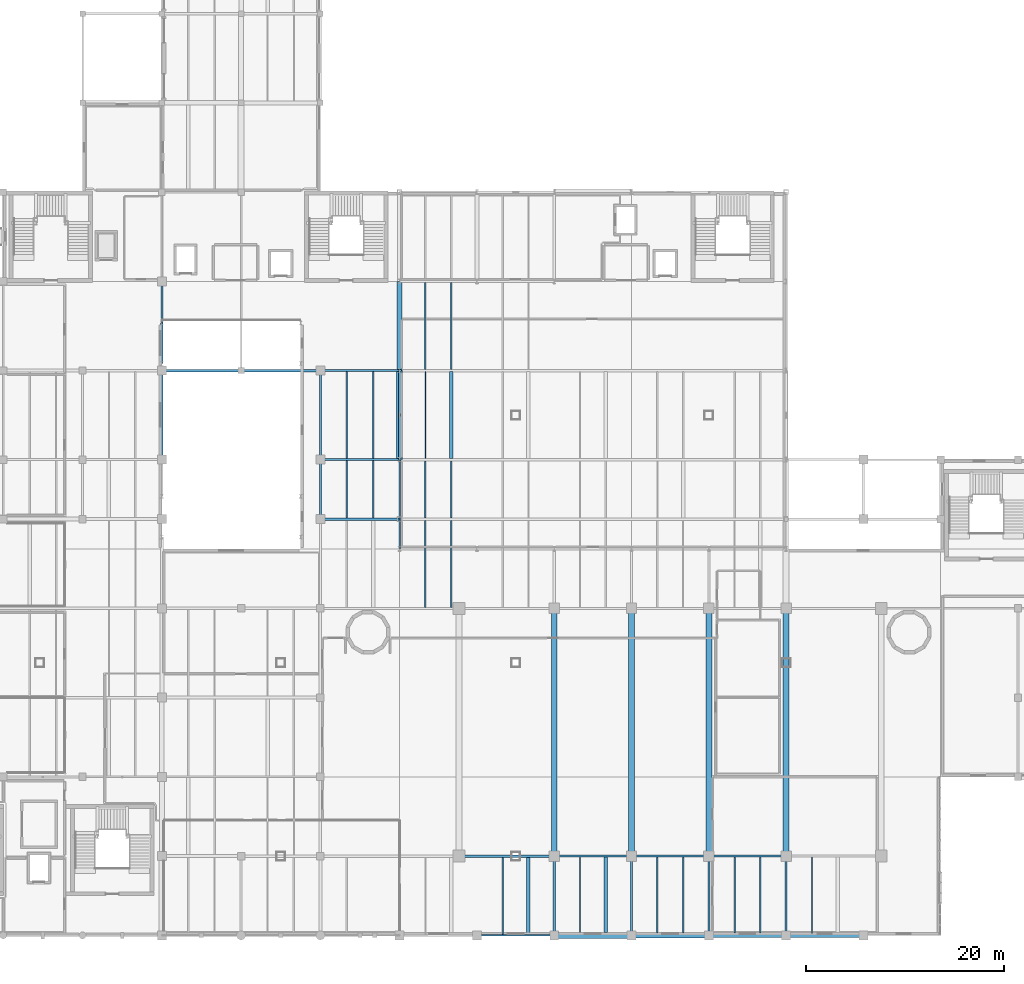
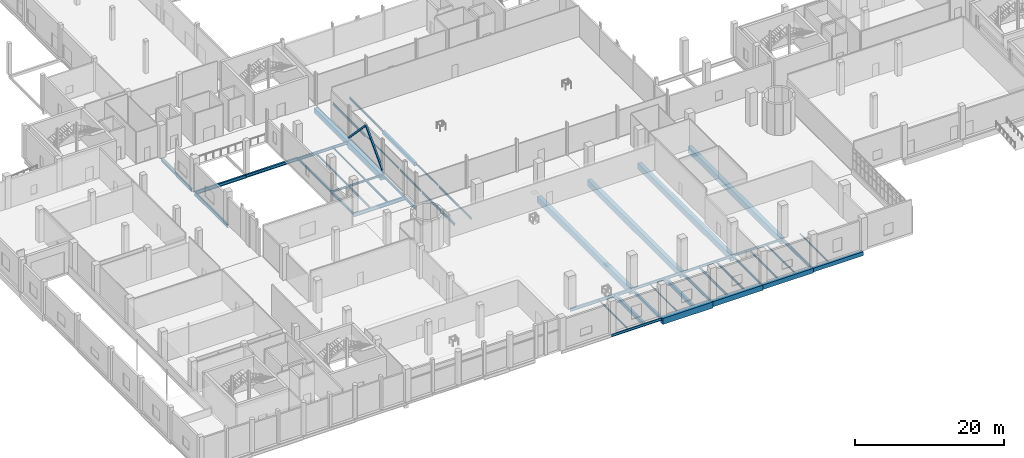
# One storey, part 22 of 57: 52 beams, 2 members.
"""IFC4 building model written with IfcOpenShell, lengths in metres."""

from ifc_helpers import new_model, si_unit, derived_unit, direction, frame, origin, origin_2d, place, context, subcontext, project, spatial, rectangle, hollow_rectangle, i_section, extrude, material, material_profile, profile_set, type_object, element, save


model = new_model("IFC4")

# Units and contexts
model_context = context("Model", 3, precision=1e-05, world=origin(), true_north=direction((0.0, 1.0)))
body_context = subcontext(model_context, "Body", "Model", "MODEL_VIEW")
ifc_project = project(units=[si_unit("LENGTHUNIT", "METRE"), si_unit("AREAUNIT", "SQUARE_METRE"), si_unit("VOLUMEUNIT", "CUBIC_METRE"), si_unit("PLANEANGLEUNIT", "RADIAN"), si_unit("MASSUNIT", "GRAM", prefix="KILO"), derived_unit("THERMALTRANSMITTANCEUNIT", [(si_unit("POWERUNIT", "WATT"), 1), (si_unit("LENGTHUNIT", "METRE"), -2), (si_unit("THERMODYNAMICTEMPERATUREUNIT", "KELVIN"), -1)])], contexts=[model_context])

# Site, building, storey
site_placement = place(None, origin())
site = spatial("IfcSite", under=ifc_project, at=site_placement, CompositionType="ELEMENT")
building_placement = place(site_placement, origin())
building = spatial("IfcBuilding", under=site, at=building_placement, Name="Nallur Shell Playhouse", CompositionType="ELEMENT")
storey_placement = place(building_placement, origin())
storey = spatial("IfcBuildingStorey", under=building, at=storey_placement, Name="L01", CompositionType="ELEMENT", Elevation=0.0)

# Beams
ifc_material_1 = material(Name="Steel E250", Category="steel")
ifc_material_profile_1 = material_profile(ifc_material_1, i_section(OverallWidth=0.110107421875, OverallDepth=0.22509765625, WebThickness=0.006591796875, FlangeThickness=0.01171875, FilletRadius=0.011962890625, at=origin_2d()), Name="ISMB 225")
ifc_profile_set_1 = profile_set([ifc_material_profile_1], Name="Steel E250")
beam_type_1 = type_object("IfcBeamType", Name="BM-JST-ISMB225", PredefinedType="JOIST", material=ifc_profile_set_1)
beam_1_placement = place(storey_placement, frame((66.60009765625, 56.123046875, -0.512451171875), z_axis=(0.0, 1.0, 0.0), x_axis=(-1.0, 0.0, 0.0)))
element("IfcBeam", 1, at=beam_1_placement, inside=storey, type_object=beam_type_1, Name="L01 secondary joist 8-G-263", PredefinedType="JOIST", context=body_context, shape_type="SweptSolid", body=[
    extrude(i_section(OverallWidth=0.110107421875, OverallDepth=0.22509765625, WebThickness=0.006591796875, FlangeThickness=0.01171875, FilletRadius=0.011962890625, at=origin_2d()), origin(), (0.0, 0.0, 1.0), 8.75390625),
])
beam_2_placement = place(storey_placement, frame((74.39990234375, 8.072998046875, -0.4326171875), z_axis=(0.0, 1.0, 0.0), x_axis=(-1.0, 0.0, 0.0)))
element("IfcBeam", 2, at=beam_2_placement, inside=storey, type_object=beam_type_1, Name="L01 secondary joist 9-A-269", PredefinedType="JOIST", context=body_context, shape_type="SweptSolid", body=[
    extrude(i_section(OverallWidth=0.110107421875, OverallDepth=0.22509765625, WebThickness=0.006591796875, FlangeThickness=0.01171875, FilletRadius=0.011962890625, at=origin_2d()), origin(), (0.0, 0.0, 1.0), 7.803955078125),
])
beam_3_placement = place(storey_placement, frame((82.199951171875, 8.298095703125, -0.4326171875), z_axis=(0.0, 1.0, 0.0), x_axis=(-1.0, 0.0, 0.0)))
element("IfcBeam", 3, at=beam_3_placement, inside=storey, type_object=beam_type_1, Name="L01 secondary joist 10-A-281", PredefinedType="JOIST", context=body_context, shape_type="SweptSolid", body=[
    extrude(i_section(OverallWidth=0.110107421875, OverallDepth=0.22509765625, WebThickness=0.006591796875, FlangeThickness=0.01171875, FilletRadius=0.011962890625, at=origin_2d()), origin(), (0.0, 0.0, 1.0), 7.60400390625),
])
beam_4_placement = place(storey_placement, frame((105.60009765625, 8.197998046875, -0.4326171875), z_axis=(0.0, 1.0, 0.0), x_axis=(-1.0, 0.0, 0.0)))
element("IfcBeam", 4, at=beam_4_placement, inside=storey, type_object=beam_type_1, Name="L01 secondary joist 13-A-305", PredefinedType="JOIST", context=body_context, shape_type="SweptSolid", body=[
    extrude(i_section(OverallWidth=0.110107421875, OverallDepth=0.22509765625, WebThickness=0.006591796875, FlangeThickness=0.01171875, FilletRadius=0.011962890625, at=origin_2d()), origin(), (0.0, 0.0, 1.0), 7.7041015625),
])
ifc_material_profile_2 = material_profile(ifc_material_1, i_section(OverallWidth=0.125, OverallDepth=0.25, WebThickness=0.0068359375, FlangeThickness=0.012451171875, FilletRadius=0.012939453125, at=origin_2d()), Name="ISMB 250")
ifc_profile_set_2 = profile_set([ifc_material_profile_2], Name="Steel E250")
beam_type_2 = type_object("IfcBeamType", Name="BM-JST-ISMB250", PredefinedType="JOIST", material=ifc_profile_set_2)
beam_5_placement = place(storey_placement, frame((61.333251953125, 56.097900390625, -0.445068359375), z_axis=(0.0, 1.0, 0.0), x_axis=(-1.0, 0.0, 0.0)))
element("IfcBeam", 5, at=beam_5_placement, inside=storey, type_object=beam_type_2, Name="L01 secondary joist 7-G-256", PredefinedType="JOIST", context=body_context, shape_type="SweptSolid", body=[
    extrude(i_section(OverallWidth=0.125, OverallDepth=0.25, WebThickness=0.0068359375, FlangeThickness=0.012451171875, FilletRadius=0.012939453125, at=origin_2d()), origin(), (0.0, 0.0, 1.0), 8.80419921875),
])
beam_6_placement = place(storey_placement, frame((69.199951171875, 50.123046875, -0.52490234375), z_axis=(0.0, 1.0, 0.0), x_axis=(-1.0, 0.0, 0.0)))
element("IfcBeam", 6, at=beam_6_placement, inside=storey, type_object=beam_type_2, Name="L01 secondary joist 8-F-262", PredefinedType="JOIST", context=body_context, shape_type="SweptSolid", body=[
    extrude(i_section(OverallWidth=0.125, OverallDepth=0.25, WebThickness=0.0068359375, FlangeThickness=0.012451171875, FilletRadius=0.012939453125, at=origin_2d()), origin(), (0.0, 0.0, 1.0), 5.75390625),
])
beam_7_placement = place(storey_placement, frame((100.39990234375, 8.222900390625, -0.445068359375), z_axis=(0.0, 1.0, 0.0), x_axis=(-1.0, 0.0, 0.0)))
element("IfcBeam", 7, at=beam_7_placement, inside=storey, type_object=beam_type_2, Name="L01 secondary joist 12-A-298", PredefinedType="JOIST", context=body_context, shape_type="SweptSolid", body=[
    extrude(i_section(OverallWidth=0.125, OverallDepth=0.25, WebThickness=0.0068359375, FlangeThickness=0.012451171875, FilletRadius=0.012939453125, at=origin_2d()), origin(), (0.0, 0.0, 1.0), 7.67919921875),
])
ifc_material_profile_3 = material_profile(ifc_material_1, i_section(OverallWidth=0.139892578125, OverallDepth=0.300048828125, WebThickness=0.0078125, FlangeThickness=0.01318359375, FilletRadius=0.013916015625, at=origin_2d()), Name="ISMB 300")
ifc_profile_set_3 = profile_set([ifc_material_profile_3], Name="Steel E250")
beam_type_3 = type_object("IfcBeamType", Name="BM-JST-ISMB300", PredefinedType="JOIST", material=ifc_profile_set_3)
beam_8_placement = place(storey_placement, frame((58.666748046875, 56.097900390625, -0.469970703125), z_axis=(0.0, 1.0, 0.0), x_axis=(-1.0, 0.0, 0.0)))
element("IfcBeam", 8, at=beam_8_placement, inside=storey, type_object=beam_type_3, Name="L01 secondary joist 7-G-255", PredefinedType="JOIST", context=body_context, shape_type="SweptSolid", body=[
    extrude(i_section(OverallWidth=0.139892578125, OverallDepth=0.300048828125, WebThickness=0.0078125, FlangeThickness=0.01318359375, FilletRadius=0.013916015625, at=origin_2d()), origin(), (0.0, 0.0, 1.0), 8.80419921875),
])
beam_9_placement = place(storey_placement, frame((66.60009765625, 50.123046875, -0.550048828125), z_axis=(0.0, 1.0, 0.0), x_axis=(-1.0, 0.0, 0.0)))
element("IfcBeam", 9, at=beam_9_placement, inside=storey, type_object=beam_type_3, Name="L01 secondary joist 8-F-261", PredefinedType="JOIST", context=body_context, shape_type="SweptSolid", body=[
    extrude(i_section(OverallWidth=0.139892578125, OverallDepth=0.300048828125, WebThickness=0.0078125, FlangeThickness=0.01318359375, FilletRadius=0.013916015625, at=origin_2d()), origin(), (0.0, 0.0, 1.0), 5.75390625),
])
beam_10_placement = place(storey_placement, frame((97.800048828125, 8.222900390625, -0.469970703125), z_axis=(0.0, 1.0, 0.0), x_axis=(-1.0, 0.0, 0.0)))
element("IfcBeam", 10, at=beam_10_placement, inside=storey, type_object=beam_type_3, Name="L01 secondary joist 12-A-297", PredefinedType="JOIST", context=body_context, shape_type="SweptSolid", body=[
    extrude(i_section(OverallWidth=0.139892578125, OverallDepth=0.300048828125, WebThickness=0.0078125, FlangeThickness=0.01318359375, FilletRadius=0.013916015625, at=origin_2d()), origin(), (0.0, 0.0, 1.0), 7.67919921875),
])
ifc_material_profile_4 = material_profile(ifc_material_1, i_section(OverallWidth=0.139892578125, OverallDepth=0.35009765625, WebThickness=0.008056640625, FlangeThickness=0.01416015625, FilletRadius=0.013916015625, at=origin_2d()), Name="ISMB 350")
ifc_profile_set_4 = profile_set([ifc_material_profile_4], Name="Steel E250")
beam_type_4 = type_object("IfcBeamType", Name="BM-JST-ISMB350", PredefinedType="JOIST", material=ifc_profile_set_4)
beam_11_placement = place(storey_placement, frame((61.333251953125, 50.123046875, -0.4951171875), z_axis=(0.0, 1.0, 0.0), x_axis=(-1.0, 0.0, 0.0)))
element("IfcBeam", 11, at=beam_11_placement, inside=storey, type_object=beam_type_4, Name="L01 secondary joist 7-F-254", PredefinedType="JOIST", context=body_context, shape_type="SweptSolid", body=[
    extrude(i_section(OverallWidth=0.139892578125, OverallDepth=0.35009765625, WebThickness=0.008056640625, FlangeThickness=0.01416015625, FilletRadius=0.013916015625, at=origin_2d()), origin(), (0.0, 0.0, 1.0), 5.779052734375),
])
for number, where, z_axis, x_axis, name in (
    (12, (69.199951171875, 41.097900390625, -0.574951171875), (0.0, 1.0, 0.0), (-1.0, 0.0, 0.0), "L01 secondary joist 8-E-260"),
    (13, (69.199951171875, 65.123046875, -0.574951171875), (0.0, 1.0, 0.0), (-1.0, 0.0, 0.0), "L01 secondary joist 8-H-266"),
):
    element("IfcBeam", number, at=place(storey_placement, frame(where, z_axis=z_axis, x_axis=x_axis)), inside=storey, type_object=beam_type_4, Name=name, PredefinedType="JOIST", context=body_context, shape_type="SweptSolid", body=[
        extrude(i_section(OverallWidth=0.139892578125, OverallDepth=0.35009765625, WebThickness=0.008056640625, FlangeThickness=0.01416015625, FilletRadius=0.013916015625, at=origin_2d()), origin(), (0.0, 0.0, 1.0), 8.779052734375),
    ])
beam_12_placement = place(storey_placement, frame((92.60009765625, 8.248046875, -0.4951171875), z_axis=(0.0, 1.0, 0.0), x_axis=(-1.0, 0.0, 0.0)))
element("IfcBeam", 14, at=beam_12_placement, inside=storey, type_object=beam_type_4, Name="L01 secondary joist 11-A-290", PredefinedType="JOIST", context=body_context, shape_type="SweptSolid", body=[
    extrude(i_section(OverallWidth=0.139892578125, OverallDepth=0.35009765625, WebThickness=0.008056640625, FlangeThickness=0.01416015625, FilletRadius=0.013916015625, at=origin_2d()), origin(), (0.0, 0.0, 1.0), 7.654052734375),
])
ifc_material_profile_5 = material_profile(ifc_material_1, i_section(OverallWidth=0.139892578125, OverallDepth=0.39990234375, WebThickness=0.0087890625, FlangeThickness=0.01611328125, FilletRadius=0.013916015625, at=origin_2d()), Name="ISMB 400")
ifc_profile_set_5 = profile_set([ifc_material_profile_5], Name="Steel E250")
beam_type_5 = type_object("IfcBeamType", Name="BM-JST-ISMB400", PredefinedType="JOIST", material=ifc_profile_set_5)
beam_13_placement = place(storey_placement, frame((58.666748046875, 50.123046875, -0.52001953125), z_axis=(0.0, 1.0, 0.0), x_axis=(-1.0, 0.0, 0.0)))
element("IfcBeam", 15, at=beam_13_placement, inside=storey, type_object=beam_type_5, Name="L01 secondary joist 7-F-253", PredefinedType="JOIST", context=body_context, shape_type="SweptSolid", body=[
    extrude(i_section(OverallWidth=0.139892578125, OverallDepth=0.39990234375, WebThickness=0.0087890625, FlangeThickness=0.01611328125, FilletRadius=0.013916015625, at=origin_2d()), origin(), (0.0, 0.0, 1.0), 5.779052734375),
])
for number, where, z_axis, x_axis, name in (
    (16, (66.60009765625, 41.097900390625, -0.60009765625), (0.0, 1.0, 0.0), (-1.0, 0.0, 0.0), "L01 secondary joist 8-E-259"),
    (17, (66.60009765625, 65.123046875, -0.60009765625), (0.0, 1.0, 0.0), (-1.0, 0.0, 0.0), "L01 secondary joist 8-H-265"),
):
    element("IfcBeam", number, at=place(storey_placement, frame(where, z_axis=z_axis, x_axis=x_axis)), inside=storey, type_object=beam_type_5, Name=name, PredefinedType="JOIST", context=body_context, shape_type="SweptSolid", body=[
        extrude(i_section(OverallWidth=0.139892578125, OverallDepth=0.39990234375, WebThickness=0.0087890625, FlangeThickness=0.01611328125, FilletRadius=0.013916015625, at=origin_2d()), origin(), (0.0, 0.0, 1.0), 8.779052734375),
    ])
beam_14_placement = place(storey_placement, frame((90.0, 8.248046875, -0.52001953125), z_axis=(0.0, 1.0, 0.0), x_axis=(-1.0, 0.0, 0.0)))
element("IfcBeam", 18, at=beam_14_placement, inside=storey, type_object=beam_type_5, Name="L01 secondary joist 11-A-289", PredefinedType="JOIST", context=body_context, shape_type="SweptSolid", body=[
    extrude(i_section(OverallWidth=0.139892578125, OverallDepth=0.39990234375, WebThickness=0.0087890625, FlangeThickness=0.01611328125, FilletRadius=0.013916015625, at=origin_2d()), origin(), (0.0, 0.0, 1.0), 7.654052734375),
])
ifc_material_2 = material(Name="Concrete M30", Category="concrete")
ifc_material_profile_6 = material_profile(ifc_material_2, rectangle(XDim=0.35009765625, YDim=0.60009765625, at=origin_2d()), Name="RC 350x600")
ifc_profile_set_6 = profile_set([ifc_material_profile_6], Name="Concrete M30")
beam_type_6 = type_object("IfcBeamType", Name="BM-RC-350x600", PredefinedType="JOIST", material=ifc_profile_set_6)
beam_15_placement = place(storey_placement, frame((69.199951171875, 56.123046875, -0.699951171875), z_axis=(0.0, 1.0, 0.0), x_axis=(-1.0, 0.0, 0.0)))
element("IfcBeam", 19, at=beam_15_placement, inside=storey, type_object=beam_type_6, Name="L01 secondary joist 8-G-264", PredefinedType="JOIST", context=body_context, shape_type="SweptSolid", body=[
    extrude(rectangle(XDim=0.35009765625, YDim=0.60009765625, at=origin_2d()), origin(), (0.0, 0.0, 1.0), 8.75390625),
])
beam_16_placement = place(storey_placement, frame((77.0, 8.072998046875, -0.6201171875), z_axis=(0.0, 1.0, 0.0), x_axis=(-1.0, 0.0, 0.0)))
element("IfcBeam", 20, at=beam_16_placement, inside=storey, type_object=beam_type_6, Name="L01 secondary joist 9-A-270", PredefinedType="JOIST", context=body_context, shape_type="SweptSolid", body=[
    extrude(rectangle(XDim=0.35009765625, YDim=0.60009765625, at=origin_2d()), origin(), (0.0, 0.0, 1.0), 7.803955078125),
])
beam_17_placement = place(storey_placement, frame((84.800048828125, 8.298095703125, -0.6201171875), z_axis=(0.0, 1.0, 0.0), x_axis=(-1.0, 0.0, 0.0)))
element("IfcBeam", 21, at=beam_17_placement, inside=storey, type_object=beam_type_6, Name="L01 secondary joist 10-A-282", PredefinedType="JOIST", context=body_context, shape_type="SweptSolid", body=[
    extrude(rectangle(XDim=0.35009765625, YDim=0.60009765625, at=origin_2d()), origin(), (0.0, 0.0, 1.0), 7.60400390625),
])
ifc_material_3 = material(Name="Concrete M35", Category="concrete")
ifc_material_profile_7 = material_profile(ifc_material_3, rectangle(XDim=0.39990234375, YDim=0.64990234375, at=origin_2d()), Name="RC 400x650")
ifc_profile_set_7 = profile_set([ifc_material_profile_7], Name="Concrete M35")
beam_type_7 = type_object("IfcBeamType", Name="BM-RC-400x650", PredefinedType="BEAM", material=ifc_profile_set_7)
beam_18_placement = place(storey_placement, frame((103.0, 8.0, -0.64501953125), z_axis=(1.0, 0.0, 0.0), x_axis=(0.0, 1.0, 0.0)))
element("IfcBeam", 22, at=beam_18_placement, inside=storey, type_object=beam_type_7, Name="L01 girder X-A-15", PredefinedType="BEAM", context=body_context, shape_type="SweptSolid", body=[
    extrude(rectangle(XDim=0.39990234375, YDim=0.64990234375, at=origin_2d()), origin(), (0.0, 0.0, 1.0), 7.800048828125),
])
ifc_material_profile_8 = material_profile(ifc_material_3, rectangle(XDim=0.449951171875, YDim=0.75, at=origin_2d()), Name="RC 450x750")
ifc_profile_set_8 = profile_set([ifc_material_profile_8], Name="Concrete M35")
beam_type_8 = type_object("IfcBeamType", Name="BM-RC-450x750", PredefinedType="BEAM", material=ifc_profile_set_8)
beam_19_placement = place(storey_placement, frame((95.199951171875, 8.0, -0.695068359375), z_axis=(1.0, 0.0, 0.0), x_axis=(0.0, 1.0, 0.0)))
element("IfcBeam", 23, at=beam_19_placement, inside=storey, type_object=beam_type_8, Name="L01 girder X-A-14", PredefinedType="BEAM", context=body_context, shape_type="SweptSolid", body=[
    extrude(rectangle(XDim=0.449951171875, YDim=0.75, at=origin_2d()), origin(), (0.0, 0.0, 1.0), 7.800048828125),
])
ifc_material_4 = material(Name="Concrete M40", Category="concrete")
ifc_material_profile_9 = material_profile(ifc_material_4, rectangle(XDim=0.5, YDim=0.85009765625, at=origin_2d()), Name="RC 500x850")
ifc_profile_set_9 = profile_set([ifc_material_profile_9], Name="Concrete M40")
beam_type_9 = type_object("IfcBeamType", Name="BM-RC-500x850", PredefinedType="BEAM", material=ifc_profile_set_9)
beam_20_placement = place(storey_placement, frame((87.39990234375, 8.0, -0.7451171875), z_axis=(1.0, 0.0, 0.0), x_axis=(0.0, 1.0, 0.0)))
element("IfcBeam", 24, at=beam_20_placement, inside=storey, type_object=beam_type_9, Name="L01 girder X-A-13", PredefinedType="BEAM", context=body_context, shape_type="SweptSolid", body=[
    extrude(rectangle(XDim=0.5, YDim=0.85009765625, at=origin_2d()), origin(), (0.0, 0.0, 1.0), 7.800048828125),
])
beam_21_placement = place(storey_placement, frame((64.0, 65.0, -0.824951171875), z_axis=(0.0, 1.0, 0.0), x_axis=(-1.0, 0.0, 0.0)))
element("IfcBeam", 25, at=beam_21_placement, inside=storey, type_object=beam_type_9, Name="L01 girder Y-8-141", PredefinedType="BEAM", context=body_context, shape_type="SweptSolid", body=[
    extrude(rectangle(XDim=0.5, YDim=0.85009765625, at=origin_2d()), origin(), (0.0, 0.0, 1.0), 9.0),
])
ifc_material_profile_10 = material_profile(ifc_material_4, rectangle(XDim=0.60009765625, YDim=1.0, at=origin_2d()), Name="RC 600x1000")
ifc_profile_set_10 = profile_set([ifc_material_profile_10], Name="Concrete M40")
beam_type_10 = type_object("IfcBeamType", Name="BM-RC-600x1000", PredefinedType="BEAM", material=ifc_profile_set_10)
beam_22_placement = place(storey_placement, frame((79.60009765625, 8.0, -0.820068359375), z_axis=(1.0, 0.0, 0.0), x_axis=(0.0, 1.0, 0.0)))
element("IfcBeam", 26, at=beam_22_placement, inside=storey, type_object=beam_type_10, Name="L01 girder X-A-12", PredefinedType="BEAM", context=body_context, shape_type="SweptSolid", body=[
    extrude(rectangle(XDim=0.60009765625, YDim=1.0, at=origin_2d()), origin(), (0.0, 0.0, 1.0), 7.7998046875),
])
beam_23_placement = place(storey_placement, frame((64.0, 56.0, -0.89990234375), z_axis=(0.0, 1.0, 0.0), x_axis=(-1.0, 0.0, 0.0)))
element("IfcBeam", 27, at=beam_23_placement, inside=storey, type_object=beam_type_10, Name="L01 girder Y-8-140", PredefinedType="BEAM", context=body_context, shape_type="SweptSolid", body=[
    extrude(rectangle(XDim=0.60009765625, YDim=1.0, at=origin_2d()), origin(), (0.0, 0.0, 1.0), 9.0),
])
for number, where, z_axis, x_axis, name in (
    (28, (79.60009765625, 16.0, -0.820068359375), (0.0, 1.0, 0.0), (-1.0, 0.0, 0.0), "L01 girder Y-10-145"),
    (29, (87.39990234375, 16.0, -0.820068359375), (0.0, 1.0, 0.0), (-1.0, 0.0, 0.0), "L01 girder Y-11-149"),
    (30, (95.199951171875, 16.0, -0.820068359375), (0.0, 1.0, 0.0), (-1.0, 0.0, 0.0), "L01 girder Y-12-152"),
    (31, (103.0, 16.0, -0.820068359375), (0.0, 1.0, 0.0), (-1.0, 0.0, 0.0), "L01 girder Y-13-155"),
):
    element("IfcBeam", number, at=place(storey_placement, frame(where, z_axis=z_axis, x_axis=x_axis)), inside=storey, type_object=beam_type_10, Name=name, PredefinedType="BEAM", context=body_context, shape_type="SweptSolid", body=[
        extrude(rectangle(XDim=0.60009765625, YDim=1.0, at=origin_2d()), origin(), (0.0, 0.0, 1.0), 25.0),
    ])
ifc_material_profile_11 = material_profile(ifc_material_3, rectangle(XDim=0.300048828125, YDim=0.449951171875, at=origin_2d()), Name="RC 300x450")
ifc_profile_set_11 = profile_set([ifc_material_profile_11], Name="Concrete M35")
beam_type_11 = type_object("IfcBeamType", Name="BM-SPN-300x450", PredefinedType="SPANDREL", material=ifc_profile_set_11)
beam_24_placement = place(storey_placement, frame((79.60009765625, 8.0, -0.544921875), z_axis=(0.0, 1.0, 0.0), x_axis=(-1.0, 0.0, 0.0)))
element("IfcBeam", 32, at=beam_24_placement, inside=storey, type_object=beam_type_11, Name="L01 girder Y-10-144", PredefinedType="SPANDREL", context=body_context, shape_type="SweptSolid", body=[
    extrude(rectangle(XDim=0.300048828125, YDim=0.449951171875, at=origin_2d()), origin(), (0.0, 0.0, 1.0), 8.0),
])
ifc_material_5 = material(Name="Steel E350", Category="steel")
ifc_material_profile_12 = material_profile(ifc_material_5, i_section(OverallWidth=0.14990234375, OverallDepth=0.449951171875, WebThickness=0.009521484375, FlangeThickness=0.017333984375, FilletRadius=0.014892578125, at=origin_2d()), Name="ISMB 450")
ifc_profile_set_12 = profile_set([ifc_material_profile_12], Name="Steel E350")
beam_type_12 = type_object("IfcBeamType", Name="BM-ST-ISMB450", PredefinedType="BEAM", material=ifc_profile_set_12)
beam_25_placement = place(storey_placement, frame((71.800048828125, 8.0, -0.544921875), z_axis=(1.0, 0.0, 0.0), x_axis=(0.0, 1.0, 0.0)))
element("IfcBeam", 33, at=beam_25_placement, inside=storey, type_object=beam_type_12, Name="L01 girder X-A-11", PredefinedType="BEAM", context=body_context, shape_type="SweptSolid", body=[
    extrude(i_section(OverallWidth=0.14990234375, OverallDepth=0.449951171875, WebThickness=0.009521484375, FlangeThickness=0.017333984375, FilletRadius=0.014892578125, at=origin_2d()), origin(), (0.0, 0.0, 1.0), 7.800048828125),
])
beam_26_placement = place(storey_placement, frame((64.0, 50.0, -0.625), z_axis=(0.0, 1.0, 0.0), x_axis=(-1.0, 0.0, 0.0)))
element("IfcBeam", 34, at=beam_26_placement, inside=storey, type_object=beam_type_12, Name="L01 girder Y-8-139", PredefinedType="BEAM", context=body_context, shape_type="SweptSolid", body=[
    extrude(i_section(OverallWidth=0.14990234375, OverallDepth=0.449951171875, WebThickness=0.009521484375, FlangeThickness=0.017333984375, FilletRadius=0.014892578125, at=origin_2d()), origin(), (0.0, 0.0, 1.0), 6.0),
])
ifc_material_profile_13 = material_profile(ifc_material_5, i_section(OverallWidth=0.179931640625, OverallDepth=0.5, WebThickness=0.01025390625, FlangeThickness=0.01708984375, FilletRadius=0.01708984375, at=origin_2d()), Name="ISMB 500")
ifc_profile_set_13 = profile_set([ifc_material_profile_13], Name="Steel E350")
beam_type_13 = type_object("IfcBeamType", Name="BM-ST-ISMB500", PredefinedType="BEAM", material=ifc_profile_set_13)
beam_27_placement = place(storey_placement, frame((64.0, 47.0, -0.64990234375), z_axis=(0.0, 1.0, 0.0), x_axis=(-1.0, 0.0, 0.0)))
element("IfcBeam", 35, at=beam_27_placement, inside=storey, type_object=beam_type_13, Name="L01 girder Y-8-138", PredefinedType="BEAM", context=body_context, shape_type="SweptSolid", body=[
    extrude(i_section(OverallWidth=0.179931640625, OverallDepth=0.5, WebThickness=0.01025390625, FlangeThickness=0.01708984375, FilletRadius=0.01708984375, at=origin_2d()), origin(), (0.0, 0.0, 1.0), 3.0),
])
beam_28_placement = place(storey_placement, frame((103.0, 8.0, -0.570068359375), z_axis=(0.0, 1.0, 0.0), x_axis=(-1.0, 0.0, 0.0)))
element("IfcBeam", 36, at=beam_28_placement, inside=storey, type_object=beam_type_13, Name="L01 girder Y-13-154", PredefinedType="BEAM", context=body_context, shape_type="SweptSolid", body=[
    extrude(i_section(OverallWidth=0.179931640625, OverallDepth=0.5, WebThickness=0.01025390625, FlangeThickness=0.01708984375, FilletRadius=0.01708984375, at=origin_2d()), origin(), (0.0, 0.0, 1.0), 8.0),
])
ifc_material_profile_14 = material_profile(ifc_material_1, i_section(OverallWidth=0.199951171875, OverallDepth=0.300048828125, WebThickness=0.00732421875, FlangeThickness=0.010009765625, FilletRadius=0.010986328125, at=origin_2d()), Name="ISWB 300")
ifc_profile_set_14 = profile_set([ifc_material_profile_14], Name="Steel E250")
beam_type_14 = type_object("IfcBeamType", Name="BM-ST-ISWB300", PredefinedType="BEAM", material=ifc_profile_set_14)
for number, where, z_axis, x_axis, name in (
    (37, (56.0, 56.0, -0.550048828125), (1.0, 0.0, 0.0), (0.0, 1.0, 0.0), "L01 girder X-G-55"),
    (38, (95.199951171875, 8.0, -0.469970703125), (0.0, 1.0, 0.0), (-1.0, 0.0, 0.0), "L01 girder Y-12-151"),
):
    element("IfcBeam", number, at=place(storey_placement, frame(where, z_axis=z_axis, x_axis=x_axis)), inside=storey, type_object=beam_type_14, Name=name, PredefinedType="BEAM", context=body_context, shape_type="SweptSolid", body=[
        extrude(i_section(OverallWidth=0.199951171875, OverallDepth=0.300048828125, WebThickness=0.00732421875, FlangeThickness=0.010009765625, FilletRadius=0.010986328125, at=origin_2d()), origin(), (0.0, 0.0, 1.0), 8.0),
    ])
ifc_material_profile_15 = material_profile(ifc_material_5, i_section(OverallWidth=0.199951171875, OverallDepth=0.35009765625, WebThickness=0.008056640625, FlangeThickness=0.011474609375, FilletRadius=0.011962890625, at=origin_2d()), Name="ISWB 350")
ifc_profile_set_15 = profile_set([ifc_material_profile_15], Name="Steel E350")
beam_type_15 = type_object("IfcBeamType", Name="BM-ST-ISWB350", PredefinedType="BEAM", material=ifc_profile_set_15)
beam_29_placement = place(storey_placement, frame((95.199951171875, 16.0, -0.4951171875), z_axis=(1.0, 0.0, 0.0), x_axis=(0.0, 1.0, 0.0)))
element("IfcBeam", 39, at=beam_29_placement, inside=storey, type_object=beam_type_15, Name="L01 girder X-B-22", PredefinedType="BEAM", context=body_context, shape_type="SweptSolid", body=[
    extrude(i_section(OverallWidth=0.199951171875, OverallDepth=0.35009765625, WebThickness=0.008056640625, FlangeThickness=0.011474609375, FilletRadius=0.011962890625, at=origin_2d()), origin(), (0.0, 0.0, 1.0), 7.800048828125),
])
beam_30_placement = place(storey_placement, frame((56.0, 56.0, -0.4951171875), z_axis=(0.0, 1.0, 0.0), x_axis=(-1.0, 0.0, 0.0)))
element("IfcBeam", 40, at=beam_30_placement, inside=storey, type_object=beam_type_15, Name="L01 girder Y-7-134", PredefinedType="BEAM", context=body_context, shape_type="SweptSolid", body=[
    extrude(i_section(OverallWidth=0.199951171875, OverallDepth=0.35009765625, WebThickness=0.008056640625, FlangeThickness=0.011474609375, FilletRadius=0.011962890625, at=origin_2d()), origin(), (0.0, 0.0, 1.0), 9.0),
])
ifc_material_profile_16 = material_profile(ifc_material_5, i_section(OverallWidth=0.199951171875, OverallDepth=0.39990234375, WebThickness=0.008544921875, FlangeThickness=0.012939453125, FilletRadius=0.012939453125, at=origin_2d()), Name="ISWB 400")
ifc_profile_set_16 = profile_set([ifc_material_profile_16], Name="Steel E350")
beam_type_16 = type_object("IfcBeamType", Name="BM-ST-ISWB400", PredefinedType="BEAM", material=ifc_profile_set_16)
beam_31_placement = place(storey_placement, frame((87.39990234375, 16.0, -0.52001953125), z_axis=(1.0, 0.0, 0.0), x_axis=(0.0, 1.0, 0.0)))
element("IfcBeam", 41, at=beam_31_placement, inside=storey, type_object=beam_type_16, Name="L01 girder X-B-21", PredefinedType="BEAM", context=body_context, shape_type="SweptSolid", body=[
    extrude(i_section(OverallWidth=0.199951171875, OverallDepth=0.39990234375, WebThickness=0.008544921875, FlangeThickness=0.012939453125, FilletRadius=0.012939453125, at=origin_2d()), origin(), (0.0, 0.0, 1.0), 7.800048828125),
])
beam_32_placement = place(storey_placement, frame((56.0, 50.0, -0.52001953125), z_axis=(0.0, 1.0, 0.0), x_axis=(-1.0, 0.0, 0.0)))
element("IfcBeam", 42, at=beam_32_placement, inside=storey, type_object=beam_type_16, Name="L01 girder Y-7-133", PredefinedType="BEAM", context=body_context, shape_type="SweptSolid", body=[
    extrude(i_section(OverallWidth=0.199951171875, OverallDepth=0.39990234375, WebThickness=0.008544921875, FlangeThickness=0.012939453125, FilletRadius=0.012939453125, at=origin_2d()), origin(), (0.0, 0.0, 1.0), 6.0),
])
ifc_material_profile_17 = material_profile(ifc_material_5, i_section(OverallWidth=0.199951171875, OverallDepth=0.449951171875, WebThickness=0.00927734375, FlangeThickness=0.015380859375, FilletRadius=0.013916015625, at=origin_2d()), Name="ISWB 450")
ifc_profile_set_17 = profile_set([ifc_material_profile_17], Name="Steel E350")
beam_type_17 = type_object("IfcBeamType", Name="BM-ST-ISWB450", PredefinedType="BEAM", material=ifc_profile_set_17)
beam_33_placement = place(storey_placement, frame((79.60009765625, 16.0, -0.544921875), z_axis=(1.0, 0.0, 0.0), x_axis=(0.0, 1.0, 0.0)))
element("IfcBeam", 43, at=beam_33_placement, inside=storey, type_object=beam_type_17, Name="L01 girder X-B-20", PredefinedType="BEAM", context=body_context, shape_type="SweptSolid", body=[
    extrude(i_section(OverallWidth=0.199951171875, OverallDepth=0.449951171875, WebThickness=0.00927734375, FlangeThickness=0.015380859375, FilletRadius=0.013916015625, at=origin_2d()), origin(), (0.0, 0.0, 1.0), 7.7998046875),
])
beam_34_placement = place(storey_placement, frame((56.0, 65.0, -0.625), z_axis=(1.0, 0.0, 0.0), x_axis=(0.0, 1.0, 0.0)))
element("IfcBeam", 44, at=beam_34_placement, inside=storey, type_object=beam_type_17, Name="L01 girder X-H-68", PredefinedType="BEAM", context=body_context, shape_type="SweptSolid", body=[
    extrude(i_section(OverallWidth=0.199951171875, OverallDepth=0.449951171875, WebThickness=0.00927734375, FlangeThickness=0.015380859375, FilletRadius=0.013916015625, at=origin_2d()), origin(), (0.0, 0.0, 1.0), 8.0),
])
beam_35_placement = place(storey_placement, frame((40.0, 69.800048828125, -0.544921875), z_axis=(0.0, 1.0, 0.0), x_axis=(-1.0, 0.0, 0.0)))
element("IfcBeam", 45, at=beam_35_placement, inside=storey, type_object=beam_type_17, Name="L01 girder Y-5-116", PredefinedType="BEAM", context=body_context, shape_type="SweptSolid", body=[
    extrude(i_section(OverallWidth=0.199951171875, OverallDepth=0.449951171875, WebThickness=0.00927734375, FlangeThickness=0.015380859375, FilletRadius=0.013916015625, at=origin_2d()), origin(), (0.0, 0.0, 1.0), 4.199951171875),
])
beam_36_placement = place(storey_placement, frame((87.39990234375, 8.0, -0.544921875), z_axis=(0.0, 1.0, 0.0), x_axis=(-1.0, 0.0, 0.0)))
element("IfcBeam", 46, at=beam_36_placement, inside=storey, type_object=beam_type_17, Name="L01 girder Y-11-148", PredefinedType="BEAM", context=body_context, shape_type="SweptSolid", body=[
    extrude(i_section(OverallWidth=0.199951171875, OverallDepth=0.449951171875, WebThickness=0.00927734375, FlangeThickness=0.015380859375, FilletRadius=0.013916015625, at=origin_2d()), origin(), (0.0, 0.0, 1.0), 8.0),
])
ifc_material_profile_18 = material_profile(ifc_material_5, i_section(OverallWidth=0.25, OverallDepth=0.5, WebThickness=0.010009765625, FlangeThickness=0.0146484375, FilletRadius=0.014892578125, at=origin_2d()), Name="ISWB 500")
ifc_profile_set_18 = profile_set([ifc_material_profile_18], Name="Steel E350")
beam_type_18 = type_object("IfcBeamType", Name="BM-ST-ISWB500", PredefinedType="BEAM", material=ifc_profile_set_18)
beam_37_placement = place(storey_placement, frame((70.0, 16.0, -0.570068359375), z_axis=(1.0, 0.0, 0.0), x_axis=(0.0, 1.0, 0.0)))
element("IfcBeam", 47, at=beam_37_placement, inside=storey, type_object=beam_type_18, Name="L01 girder X-B-19", PredefinedType="BEAM", context=body_context, shape_type="SweptSolid", body=[
    extrude(i_section(OverallWidth=0.25, OverallDepth=0.5, WebThickness=0.010009765625, FlangeThickness=0.0146484375, FilletRadius=0.014892578125, at=origin_2d()), origin(), (0.0, 0.0, 1.0), 9.60009765625),
])
beam_38_placement = place(storey_placement, frame((48.0, 65.0, -0.570068359375), z_axis=(1.0, 0.0, 0.0), x_axis=(0.0, 1.0, 0.0)))
element("IfcBeam", 48, at=beam_38_placement, inside=storey, type_object=beam_type_18, Name="L01 girder X-H-67", PredefinedType="BEAM", context=body_context, shape_type="SweptSolid", body=[
    extrude(i_section(OverallWidth=0.25, OverallDepth=0.5, WebThickness=0.010009765625, FlangeThickness=0.0146484375, FilletRadius=0.014892578125, at=origin_2d()), origin(), (0.0, 0.0, 1.0), 8.0),
])
beam_39_placement = place(storey_placement, frame((40.0, 65.699951171875, -0.570068359375), z_axis=(0.0, 1.0, 0.0), x_axis=(-1.0, 0.0, 0.0)))
element("IfcBeam", 49, at=beam_39_placement, inside=storey, type_object=beam_type_18, Name="L01 girder Y-5-115", PredefinedType="BEAM", context=body_context, shape_type="SweptSolid", body=[
    extrude(i_section(OverallWidth=0.25, OverallDepth=0.5, WebThickness=0.010009765625, FlangeThickness=0.0146484375, FilletRadius=0.014892578125, at=origin_2d()), origin(), (0.0, 0.0, 1.0), 4.10009765625),
])
ifc_material_profile_19 = material_profile(ifc_material_5, i_section(OverallWidth=0.25, OverallDepth=0.550048828125, WebThickness=0.010498046875, FlangeThickness=0.017578125, FilletRadius=0.01611328125, at=origin_2d()), Name="ISWB 550")
ifc_profile_set_19 = profile_set([ifc_material_profile_19], Name="Steel E350")
beam_type_19 = type_object("IfcBeamType", Name="BM-ST-ISWB550", PredefinedType="BEAM", material=ifc_profile_set_19)
beam_40_placement = place(storey_placement, frame((40.0, 65.0, -0.594970703125), z_axis=(1.0, 0.0, 0.0), x_axis=(0.0, 1.0, 0.0)))
element("IfcBeam", 50, at=beam_40_placement, inside=storey, type_object=beam_type_19, Name="L01 girder X-H-66", PredefinedType="BEAM", context=body_context, shape_type="SweptSolid", body=[
    extrude(i_section(OverallWidth=0.25, OverallDepth=0.550048828125, WebThickness=0.010498046875, FlangeThickness=0.017578125, FilletRadius=0.01611328125, at=origin_2d()), origin(), (0.0, 0.0, 1.0), 8.0),
])
beam_41_placement = place(storey_placement, frame((40.0, 56.0, -0.594970703125), z_axis=(0.0, 1.0, 0.0), x_axis=(-1.0, 0.0, 0.0)))
element("IfcBeam", 51, at=beam_41_placement, inside=storey, type_object=beam_type_19, Name="L01 girder Y-5-114", PredefinedType="BEAM", context=body_context, shape_type="SweptSolid", body=[
    extrude(i_section(OverallWidth=0.25, OverallDepth=0.550048828125, WebThickness=0.010498046875, FlangeThickness=0.017578125, FilletRadius=0.01611328125, at=origin_2d()), origin(), (0.0, 0.0, 1.0), 9.0),
])
ifc_material_profile_20 = material_profile(ifc_material_5, i_section(OverallWidth=0.25, OverallDepth=0.60009765625, WebThickness=0.01171875, FlangeThickness=0.023681640625, FilletRadius=0.01708984375, at=origin_2d()), Name="ISWB 600")
ifc_profile_set_20 = profile_set([ifc_material_profile_20], Name="Steel E350")
beam_type_20 = type_object("IfcBeamType", Name="BM-ST-ISWB600", PredefinedType="BEAM", material=ifc_profile_set_20)
beam_42_placement = place(storey_placement, frame((56.0, 50.0, -0.699951171875), z_axis=(1.0, 0.0, 0.0), x_axis=(0.0, 1.0, 0.0)))
element("IfcBeam", 52, at=beam_42_placement, inside=storey, type_object=beam_type_20, Name="L01 girder X-F-49", PredefinedType="BEAM", context=body_context, shape_type="SweptSolid", body=[
    extrude(i_section(OverallWidth=0.25, OverallDepth=0.60009765625, WebThickness=0.01171875, FlangeThickness=0.023681640625, FilletRadius=0.01708984375, at=origin_2d()), origin(), (0.0, 0.0, 1.0), 8.0),
])

# Members
ifc_material_profile_21 = material_profile(ifc_material_5, hollow_rectangle(XDim=0.25, YDim=0.25, WallThickness=0.011962890625, at=origin_2d()), Name="SHS 250x250x12")
ifc_profile_set_21 = profile_set([ifc_material_profile_21], Name="Steel E350")
member_type = type_object("IfcMemberType", Name="MB-FT-BRACE1", PredefinedType="BRACE", material=ifc_profile_set_21)
for number, where, z_axis, x_axis, name in (
    (53, (64.0, 56.0, 0.14990234375), (0.0, 0.690021521301, 0.723788850523), (-1.0, 0.0, 0.0), "Stage fly tower concentric brace BR-FT-L01-001"),
    (54, (64.0, 65.0, 0.14990234375), (0.0, -0.690021521301, 0.723788850523), (1.0, 0.0, 0.0), "Stage fly tower concentric brace BR-FT-L01-002"),
):
    element("IfcMember", number, at=place(storey_placement, frame(where, z_axis=z_axis, x_axis=x_axis)), inside=storey, type_object=member_type, Name=name, PredefinedType="BRACE", context=body_context, shape_type="SweptSolid", body=[
        extrude(hollow_rectangle(XDim=0.25, YDim=0.25, WallThickness=0.011962890625, at=origin_2d()), origin(), (0.0, 0.0, 1.0), 6.521484375),
    ])

save(model, "model.ifc")
